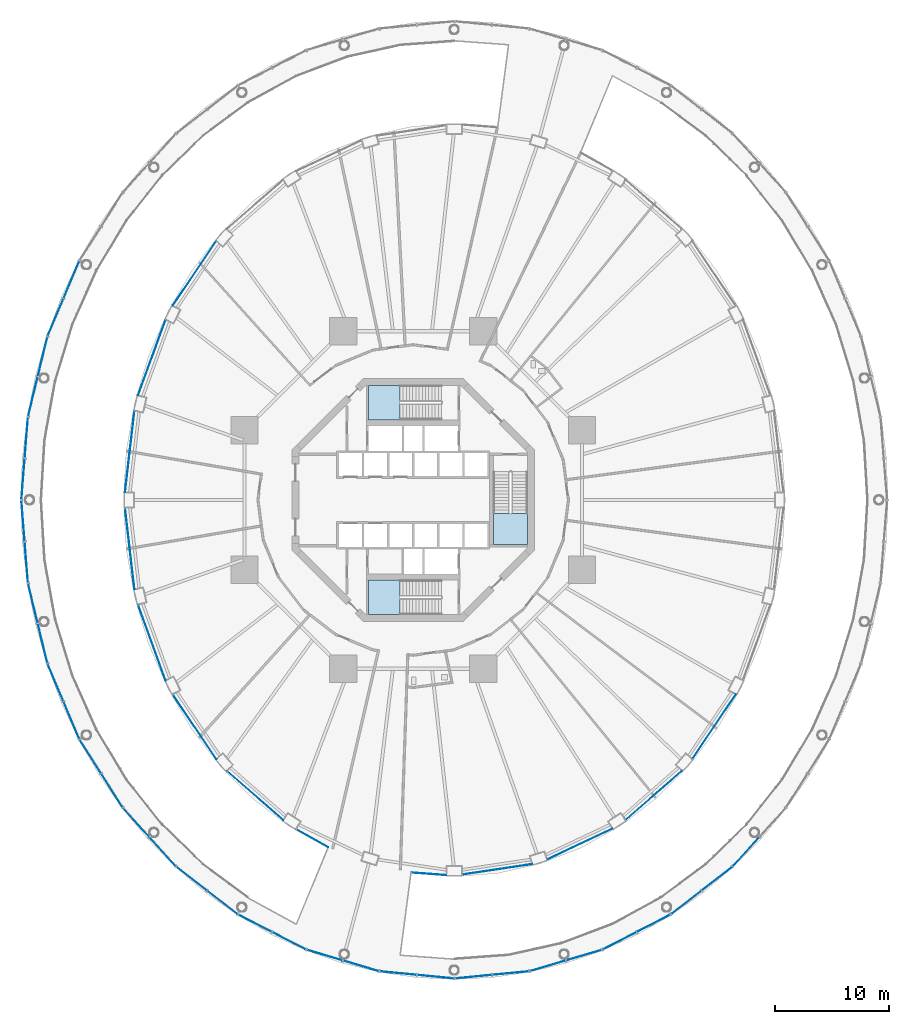
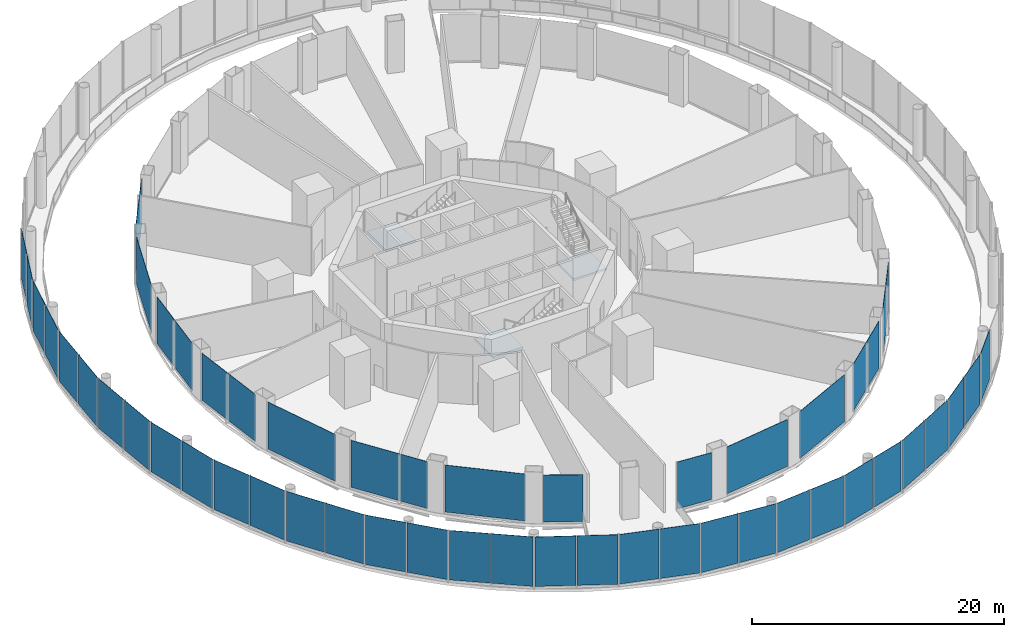
# One storey, part 39 of 47: 46 plates, 3 slabs, 33 elements without a shape of their own.
"""IFC4 building model written with IfcOpenShell, lengths in metres."""

from ifc_helpers import new_model, si_unit, direction, frame, origin, origin_2d, place, context, subcontext, project, spatial, polyline, rectangle, outline, extrude, material, layer, layer_set, type_object, element, aggregate, save


model = new_model("IFC4")

# Units and contexts
model_context = context("Model", 3, precision=1e-05, world=origin(), true_north=direction((0.0, 1.0)))
body_context = subcontext(model_context, "Body", "Model", "MODEL_VIEW")
ifc_project = project(units=[si_unit("LENGTHUNIT", "METRE"), si_unit("AREAUNIT", "SQUARE_METRE"), si_unit("VOLUMEUNIT", "CUBIC_METRE"), si_unit("PLANEANGLEUNIT", "RADIAN"), si_unit("MASSUNIT", "GRAM", prefix="KILO")], contexts=[model_context])

# Site, building, storey
site_placement = place(None, origin())
site = spatial("IfcSite", under=ifc_project, at=site_placement, CompositionType="ELEMENT")
building_placement = place(site_placement, origin())
building = spatial("IfcBuilding", under=site, at=building_placement, Name="Nagisa Residences", CompositionType="ELEMENT")
storey_placement = place(building_placement, frame((0.0, 0.0, 17.0)))
storey = spatial("IfcBuildingStorey", under=building, at=storey_placement, Name="L03", CompositionType="ELEMENT", Elevation=17.0)

# Curtain wall, plates
ifc_material_1 = material(Name="Stainless steel curtain wall system", Category="steel")
ifc_layer_1 = layer(ifc_material_1, 0.159912109375)
ifc_layer_set_1 = layer_set([ifc_layer_1], Name="CW3 CURTAIN WALL")
curtain_wall_type_1 = type_object("IfcCurtainWallType", Name="CW3 CURTAIN WALL", PredefinedType="NOTDEFINED", material=ifc_layer_set_1)
curtain_wall_1_placement = place(storey_placement, origin())
curtain_wall_1 = element("IfcCurtainWall", 1, at=curtain_wall_1_placement, inside=storey, type_object=curtain_wall_type_1, Name="cw:CW3:L03:15", PredefinedType="NOTDEFINED")
ifc_material_2 = material(Name="Low-iron laminated glass", Category="glass")
ifc_layer_2 = layer(ifc_material_2, 0.028076171875)
ifc_layer_set_2 = layer_set([ifc_layer_2], Name="CW3 GLASS PANEL")
plate_type_1 = type_object("IfcPlateType", Name="CW3 GLASS PANEL", PredefinedType="CURTAIN_PANEL", material=ifc_layer_set_2)
plate_1_placement = place(storey_placement, frame((-29.94287109375, 19.291748046875, 0.2001953125), z_axis=(0.0, 0.0, 1.0), x_axis=(-0.388718029417, -0.921356767819, 0.0)))
plate_1 = element("IfcPlate", 2, at=plate_1_placement, type_object=plate_type_1, Name="CW3 panel", PredefinedType="CURTAIN_PANEL", context=body_context, shape_type="SweptSolid", body=[
    extrude(rectangle(XDim=3.480712890625, YDim=0.028076171875, at=origin_2d()), origin(), (0.0, 0.0, 1.0), 4.800048828125),
])
plate_2_placement = place(storey_placement, frame((-31.326904296875, 16.010986328125, 0.2001953125), z_axis=(0.0, 0.0, 1.0), x_axis=(-0.388718029417, -0.921356767819, 0.0)))
plate_2 = element("IfcPlate", 3, at=plate_2_placement, type_object=plate_type_1, Name="CW3 panel", PredefinedType="CURTAIN_PANEL", context=body_context, shape_type="SweptSolid", body=[
    extrude(rectangle(XDim=3.480712890625, YDim=0.028076171875, at=origin_2d()), origin(), (0.0, 0.0, 1.0), 4.800048828125),
])
aggregate(curtain_wall_1, [plate_1, plate_2])

curtain_wall_2_placement = place(storey_placement, origin())
curtain_wall_2 = element("IfcCurtainWall", 4, at=curtain_wall_2_placement, inside=storey, type_object=curtain_wall_type_1, Name="cw:CW3:L03:16", PredefinedType="NOTDEFINED")
plate_3_placement = place(storey_placement, frame((-32.4638671875, 12.55859375, 0.2001953125), z_axis=(0.0, 0.0, 1.0), x_axis=(-0.235605514043, -0.971848775146, 0.0)))
plate_3 = element("IfcPlate", 5, at=plate_3_placement, type_object=plate_type_1, Name="CW3 panel", PredefinedType="CURTAIN_PANEL", context=body_context, shape_type="SweptSolid", body=[
    extrude(rectangle(XDim=3.518310546875, YDim=0.028076171875, at=origin_2d()), origin(), (0.0, 0.0, 1.0), 4.800048828125),
])
plate_4_placement = place(storey_placement, frame((-33.3115234375, 9.061767578125, 0.2001953125), z_axis=(0.0, 0.0, 1.0), x_axis=(-0.235605514043, -0.971848775146, 0.0)))
plate_4 = element("IfcPlate", 6, at=plate_4_placement, type_object=plate_type_1, Name="CW3 panel", PredefinedType="CURTAIN_PANEL", context=body_context, shape_type="SweptSolid", body=[
    extrude(rectangle(XDim=3.518310546875, YDim=0.028076171875, at=origin_2d()), origin(), (0.0, 0.0, 1.0), 4.800048828125),
])
aggregate(curtain_wall_2, [plate_3, plate_4])

curtain_wall_3_placement = place(storey_placement, origin())
curtain_wall_3 = element("IfcCurtainWall", 7, at=curtain_wall_3_placement, inside=storey, type_object=curtain_wall_type_1, Name="cw:CW3:L03:17", PredefinedType="NOTDEFINED")
plate_5_placement = place(storey_placement, frame((-33.888916015625, 5.443603515625, 0.2001953125), z_axis=(0.0, 0.0, 1.0), x_axis=(-0.078909582539, -0.996881777235, 0.0)))
plate_5 = element("IfcPlate", 8, at=plate_5_placement, type_object=plate_type_1, Name="CW3 panel", PredefinedType="CURTAIN_PANEL", context=body_context, shape_type="SweptSolid", body=[
    extrude(rectangle(XDim=3.5380859375, YDim=0.028076171875, at=origin_2d()), origin(), (0.0, 0.0, 1.0), 4.800048828125),
])
plate_6_placement = place(storey_placement, frame((-34.17431640625, 1.8369140625, 0.2001953125), z_axis=(0.0, 0.0, 1.0), x_axis=(-0.078909582539, -0.996881777235, 0.0)))
plate_6 = element("IfcPlate", 9, at=plate_6_placement, type_object=plate_type_1, Name="CW3 panel", PredefinedType="CURTAIN_PANEL", context=body_context, shape_type="SweptSolid", body=[
    extrude(rectangle(XDim=3.5380859375, YDim=0.028076171875, at=origin_2d()), origin(), (0.0, 0.0, 1.0), 4.800048828125),
])
aggregate(curtain_wall_3, [plate_5, plate_6])

curtain_wall_4_placement = place(storey_placement, origin())
curtain_wall_4 = element("IfcCurtainWall", 10, at=curtain_wall_4_placement, inside=storey, type_object=curtain_wall_type_1, Name="cw:CW3:L03:18", PredefinedType="NOTDEFINED")
plate_7_placement = place(storey_placement, frame((-34.17431640625, -1.8369140625, 0.2001953125), z_axis=(0.0, 0.0, 1.0), x_axis=(0.078909582539, -0.996881777235, 0.0)))
plate_7 = element("IfcPlate", 11, at=plate_7_placement, type_object=plate_type_1, Name="CW3 panel", PredefinedType="CURTAIN_PANEL", context=body_context, shape_type="SweptSolid", body=[
    extrude(rectangle(XDim=3.5380859375, YDim=0.028076171875, at=origin_2d()), origin(), (0.0, 0.0, 1.0), 4.800048828125),
])
plate_8_placement = place(storey_placement, frame((-33.888916015625, -5.443603515625, 0.2001953125), z_axis=(0.0, 0.0, 1.0), x_axis=(0.078909582539, -0.996881777235, 0.0)))
plate_8 = element("IfcPlate", 12, at=plate_8_placement, type_object=plate_type_1, Name="CW3 panel", PredefinedType="CURTAIN_PANEL", context=body_context, shape_type="SweptSolid", body=[
    extrude(rectangle(XDim=3.5380859375, YDim=0.028076171875, at=origin_2d()), origin(), (0.0, 0.0, 1.0), 4.800048828125),
])
aggregate(curtain_wall_4, [plate_7, plate_8])

curtain_wall_5_placement = place(storey_placement, origin())
curtain_wall_5 = element("IfcCurtainWall", 13, at=curtain_wall_5_placement, inside=storey, type_object=curtain_wall_type_1, Name="cw:CW3:L03:19", PredefinedType="NOTDEFINED")
plate_9_placement = place(storey_placement, frame((-33.3115234375, -9.061767578125, 0.2001953125), z_axis=(0.0, 0.0, 1.0), x_axis=(0.235605514043, -0.971848775146, 0.0)))
plate_9 = element("IfcPlate", 14, at=plate_9_placement, type_object=plate_type_1, Name="CW3 panel", PredefinedType="CURTAIN_PANEL", context=body_context, shape_type="SweptSolid", body=[
    extrude(rectangle(XDim=3.518310546875, YDim=0.028076171875, at=origin_2d()), origin(), (0.0, 0.0, 1.0), 4.800048828125),
])
plate_10_placement = place(storey_placement, frame((-32.4638671875, -12.55859375, 0.2001953125), z_axis=(0.0, 0.0, 1.0), x_axis=(0.235605514043, -0.971848775146, 0.0)))
plate_10 = element("IfcPlate", 15, at=plate_10_placement, type_object=plate_type_1, Name="CW3 panel", PredefinedType="CURTAIN_PANEL", context=body_context, shape_type="SweptSolid", body=[
    extrude(rectangle(XDim=3.518310546875, YDim=0.028076171875, at=origin_2d()), origin(), (0.0, 0.0, 1.0), 4.800048828125),
])
aggregate(curtain_wall_5, [plate_9, plate_10])

curtain_wall_6_placement = place(storey_placement, origin())
curtain_wall_6 = element("IfcCurtainWall", 16, at=curtain_wall_6_placement, inside=storey, type_object=curtain_wall_type_1, Name="cw:CW3:L03:20", PredefinedType="NOTDEFINED")
plate_11_placement = place(storey_placement, frame((-31.326904296875, -16.010986328125, 0.2001953125), z_axis=(0.0, 0.0, 1.0), x_axis=(0.388718029417, -0.921356767819, 0.0)))
plate_11 = element("IfcPlate", 17, at=plate_11_placement, type_object=plate_type_1, Name="CW3 panel", PredefinedType="CURTAIN_PANEL", context=body_context, shape_type="SweptSolid", body=[
    extrude(rectangle(XDim=3.480712890625, YDim=0.028076171875, at=origin_2d()), origin(), (0.0, 0.0, 1.0), 4.800048828125),
])
plate_12_placement = place(storey_placement, frame((-29.94287109375, -19.291748046875, 0.2001953125), z_axis=(0.0, 0.0, 1.0), x_axis=(0.388718029417, -0.921356767819, 0.0)))
plate_12 = element("IfcPlate", 18, at=plate_12_placement, type_object=plate_type_1, Name="CW3 panel", PredefinedType="CURTAIN_PANEL", context=body_context, shape_type="SweptSolid", body=[
    extrude(rectangle(XDim=3.480712890625, YDim=0.028076171875, at=origin_2d()), origin(), (0.0, 0.0, 1.0), 4.800048828125),
])
aggregate(curtain_wall_6, [plate_11, plate_12])

curtain_wall_7_placement = place(storey_placement, origin())
curtain_wall_7 = element("IfcCurtainWall", 19, at=curtain_wall_7_placement, inside=storey, type_object=curtain_wall_type_1, Name="cw:CW3:L03:21", PredefinedType="NOTDEFINED")
plate_13_placement = place(storey_placement, frame((-28.28076171875, -22.473388671875, 0.2001953125), z_axis=(0.0, 0.0, 1.0), x_axis=(0.535165286856, -0.844747368001, 0.0)))
plate_13 = element("IfcPlate", 20, at=plate_13_placement, type_object=plate_type_1, Name="CW3 panel", PredefinedType="CURTAIN_PANEL", context=body_context, shape_type="SweptSolid", body=[
    extrude(rectangle(XDim=3.4296875, YDim=0.028076171875, at=origin_2d()), origin(), (0.0, 0.0, 1.0), 4.800048828125),
])
plate_14_placement = place(storey_placement, frame((-26.402587890625, -25.43798828125, 0.2001953125), z_axis=(0.0, 0.0, 1.0), x_axis=(0.535165286856, -0.844747368001, 0.0)))
plate_14 = element("IfcPlate", 21, at=plate_14_placement, type_object=plate_type_1, Name="CW3 panel", PredefinedType="CURTAIN_PANEL", context=body_context, shape_type="SweptSolid", body=[
    extrude(rectangle(XDim=3.4296875, YDim=0.028076171875, at=origin_2d()), origin(), (0.0, 0.0, 1.0), 4.800048828125),
])
aggregate(curtain_wall_7, [plate_13, plate_14])

curtain_wall_8_placement = place(storey_placement, origin())
curtain_wall_8 = element("IfcCurtainWall", 22, at=curtain_wall_8_placement, inside=storey, type_object=curtain_wall_type_1, Name="cw:CW3:L03:22", PredefinedType="NOTDEFINED")
plate_15_placement = place(storey_placement, frame((-24.26611328125, -28.25244140625, 0.2001953125), z_axis=(0.0, 0.0, 1.0), x_axis=(0.670913323971, -0.741535779122, 0.0)))
plate_15 = element("IfcPlate", 23, at=plate_15_placement, type_object=plate_type_1, Name="CW3 panel", PredefinedType="CURTAIN_PANEL", context=body_context, shape_type="SweptSolid", body=[
    extrude(rectangle(XDim=3.37060546875, YDim=0.028076171875, at=origin_2d()), origin(), (0.0, 0.0, 1.0), 4.800048828125),
])
plate_16_placement = place(storey_placement, frame((-21.950927734375, -30.811279296875, 0.2001953125), z_axis=(0.0, 0.0, 1.0), x_axis=(0.670913323971, -0.741535779122, 0.0)))
plate_16 = element("IfcPlate", 24, at=plate_16_placement, type_object=plate_type_1, Name="CW3 panel", PredefinedType="CURTAIN_PANEL", context=body_context, shape_type="SweptSolid", body=[
    extrude(rectangle(XDim=3.37060546875, YDim=0.028076171875, at=origin_2d()), origin(), (0.0, 0.0, 1.0), 4.800048828125),
])
aggregate(curtain_wall_8, [plate_15, plate_16])

curtain_wall_9_placement = place(storey_placement, origin())
curtain_wall_9 = element("IfcCurtainWall", 25, at=curtain_wall_9_placement, inside=storey, type_object=curtain_wall_type_1, Name="cw:CW3:L03:23", PredefinedType="NOTDEFINED")
plate_17_placement = place(storey_placement, frame((-19.40478515625, -33.172607421875, 0.2001953125), z_axis=(0.0, 0.0, 1.0), x_axis=(0.790830864353, -0.612034757172, 0.0)))
plate_17 = element("IfcPlate", 26, at=plate_17_placement, type_object=plate_type_1, Name="CW3 panel", PredefinedType="CURTAIN_PANEL", context=body_context, shape_type="SweptSolid", body=[
    extrude(rectangle(XDim=3.310546875, YDim=0.028076171875, at=origin_2d()), origin(), (0.0, 0.0, 1.0), 4.800048828125),
])
plate_18_placement = place(storey_placement, frame((-16.723388671875, -35.247802734375, 0.2001953125), z_axis=(0.0, 0.0, 1.0), x_axis=(0.790830864353, -0.612034757172, 0.0)))
plate_18 = element("IfcPlate", 27, at=plate_18_placement, type_object=plate_type_1, Name="CW3 panel", PredefinedType="CURTAIN_PANEL", context=body_context, shape_type="SweptSolid", body=[
    extrude(rectangle(XDim=3.310546875, YDim=0.028076171875, at=origin_2d()), origin(), (0.0, 0.0, 1.0), 4.800048828125),
])
aggregate(curtain_wall_9, [plate_17, plate_18])

curtain_wall_10_placement = place(storey_placement, origin())
curtain_wall_10 = element("IfcCurtainWall", 28, at=curtain_wall_10_placement, inside=storey, type_object=curtain_wall_type_1, Name="cw:CW3:L03:24", PredefinedType="NOTDEFINED")
plate_19_placement = place(storey_placement, frame((-13.8447265625, -37.084716796875, 0.2001953125), z_axis=(0.0, 0.0, 1.0), x_axis=(0.888887270285, -0.45812598783, 0.0)))
plate_19 = element("IfcPlate", 29, at=plate_19_placement, type_object=plate_type_1, Name="CW3 panel", PredefinedType="CURTAIN_PANEL", context=body_context, shape_type="SweptSolid", body=[
    extrude(rectangle(XDim=3.2568359375, YDim=0.028076171875, at=origin_2d()), origin(), (0.0, 0.0, 1.0), 4.800048828125),
])
plate_20_placement = place(storey_placement, frame((-10.878662109375, -38.61328125, 0.2001953125), z_axis=(0.0, 0.0, 1.0), x_axis=(0.888887270285, -0.45812598783, 0.0)))
plate_20 = element("IfcPlate", 30, at=plate_20_placement, type_object=plate_type_1, Name="CW3 panel", PredefinedType="CURTAIN_PANEL", context=body_context, shape_type="SweptSolid", body=[
    extrude(rectangle(XDim=3.2568359375, YDim=0.028076171875, at=origin_2d()), origin(), (0.0, 0.0, 1.0), 4.800048828125),
])
aggregate(curtain_wall_10, [plate_19, plate_20])

curtain_wall_11_placement = place(storey_placement, origin())
curtain_wall_11 = element("IfcCurtainWall", 31, at=curtain_wall_11_placement, inside=storey, type_object=curtain_wall_type_1, Name="cw:CW3:L03:25", PredefinedType="NOTDEFINED")
plate_21_placement = place(storey_placement, frame((-7.75537109375, -39.869873046875, 0.2001953125), z_axis=(0.0, 0.0, 1.0), x_axis=(0.958835171393, -0.283963226669, 0.0)))
plate_21 = element("IfcPlate", 32, at=plate_21_placement, type_object=plate_type_1, Name="CW3 panel", PredefinedType="CURTAIN_PANEL", context=body_context, shape_type="SweptSolid", body=[
    extrude(rectangle(XDim=3.21630859375, YDim=0.028076171875, at=origin_2d()), origin(), (0.0, 0.0, 1.0), 4.800048828125),
])
plate_22_placement = place(storey_placement, frame((-4.5947265625, -40.805908203125, 0.2001953125), z_axis=(0.0, 0.0, 1.0), x_axis=(0.958835171393, -0.283963226669, 0.0)))
plate_22 = element("IfcPlate", 33, at=plate_22_placement, type_object=plate_type_1, Name="CW3 panel", PredefinedType="CURTAIN_PANEL", context=body_context, shape_type="SweptSolid", body=[
    extrude(rectangle(XDim=3.21630859375, YDim=0.028076171875, at=origin_2d()), origin(), (0.0, 0.0, 1.0), 4.800048828125),
])
aggregate(curtain_wall_11, [plate_21, plate_22])

curtain_wall_12_placement = place(storey_placement, origin())
curtain_wall_12 = element("IfcCurtainWall", 34, at=curtain_wall_12_placement, inside=storey, type_object=curtain_wall_type_1, Name="cw:CW3:L03:26", PredefinedType="NOTDEFINED")
plate_23_placement = place(storey_placement, frame((-1.3212890625, -41.44384765625, 0.2001953125), z_axis=(0.0, 0.0, 1.0), x_axis=(0.995357282289, -0.096249055035, 0.0)))
plate_23 = element("IfcPlate", 35, at=plate_23_placement, type_object=plate_type_1, Name="CW3 panel", PredefinedType="CURTAIN_PANEL", context=body_context, shape_type="SweptSolid", body=[
    extrude(rectangle(XDim=3.19482421875, YDim=0.028076171875, at=origin_2d()), origin(), (0.0, 0.0, 1.0), 4.800048828125),
])
plate_24_placement = place(storey_placement, frame((1.938232421875, -41.759033203125, 0.2001953125), z_axis=(0.0, 0.0, 1.0), x_axis=(0.995357282289, -0.096249055035, 0.0)))
plate_24 = element("IfcPlate", 36, at=plate_24_placement, type_object=plate_type_1, Name="CW3 panel", PredefinedType="CURTAIN_PANEL", context=body_context, shape_type="SweptSolid", body=[
    extrude(rectangle(XDim=3.19482421875, YDim=0.028076171875, at=origin_2d()), origin(), (0.0, 0.0, 1.0), 4.800048828125),
])
aggregate(curtain_wall_12, [plate_23, plate_24])

curtain_wall_13_placement = place(storey_placement, origin())
curtain_wall_13 = element("IfcCurtainWall", 37, at=curtain_wall_13_placement, inside=storey, type_object=curtain_wall_type_1, Name="cw:CW3:L03:27", PredefinedType="NOTDEFINED")
plate_25_placement = place(storey_placement, frame((5.261962890625, -41.759033203125, 0.2001953125), z_axis=(0.0, 0.0, 1.0), x_axis=(0.995357282289, 0.096249055035, 0.0)))
plate_25 = element("IfcPlate", 38, at=plate_25_placement, type_object=plate_type_1, Name="CW3 panel", PredefinedType="CURTAIN_PANEL", context=body_context, shape_type="SweptSolid", body=[
    extrude(rectangle(XDim=3.19482421875, YDim=0.028076171875, at=origin_2d()), origin(), (0.0, 0.0, 1.0), 4.800048828125),
])
plate_26_placement = place(storey_placement, frame((8.521484375, -41.44384765625, 0.2001953125), z_axis=(0.0, 0.0, 1.0), x_axis=(0.995357282289, 0.096249055035, 0.0)))
plate_26 = element("IfcPlate", 39, at=plate_26_placement, type_object=plate_type_1, Name="CW3 panel", PredefinedType="CURTAIN_PANEL", context=body_context, shape_type="SweptSolid", body=[
    extrude(rectangle(XDim=3.19482421875, YDim=0.028076171875, at=origin_2d()), origin(), (0.0, 0.0, 1.0), 4.800048828125),
])
aggregate(curtain_wall_13, [plate_25, plate_26])

curtain_wall_14_placement = place(storey_placement, origin())
curtain_wall_14 = element("IfcCurtainWall", 40, at=curtain_wall_14_placement, inside=storey, type_object=curtain_wall_type_1, Name="cw:CW3:L03:28", PredefinedType="NOTDEFINED")
plate_27_placement = place(storey_placement, frame((11.794677734375, -40.805908203125, 0.2001953125), z_axis=(0.0, 0.0, 1.0), x_axis=(0.958835171393, 0.283963226669, 0.0)))
plate_27 = element("IfcPlate", 41, at=plate_27_placement, type_object=plate_type_1, Name="CW3 panel", PredefinedType="CURTAIN_PANEL", context=body_context, shape_type="SweptSolid", body=[
    extrude(rectangle(XDim=3.21630859375, YDim=0.028076171875, at=origin_2d()), origin(), (0.0, 0.0, 1.0), 4.800048828125),
])
plate_28_placement = place(storey_placement, frame((14.955322265625, -39.869873046875, 0.2001953125), z_axis=(0.0, 0.0, 1.0), x_axis=(0.958835171393, 0.283963226669, 0.0)))
plate_28 = element("IfcPlate", 42, at=plate_28_placement, type_object=plate_type_1, Name="CW3 panel", PredefinedType="CURTAIN_PANEL", context=body_context, shape_type="SweptSolid", body=[
    extrude(rectangle(XDim=3.21630859375, YDim=0.028076171875, at=origin_2d()), origin(), (0.0, 0.0, 1.0), 4.800048828125),
])
aggregate(curtain_wall_14, [plate_27, plate_28])

curtain_wall_15_placement = place(storey_placement, origin())
curtain_wall_15 = element("IfcCurtainWall", 43, at=curtain_wall_15_placement, inside=storey, type_object=curtain_wall_type_1, Name="cw:CW3:L03:29", PredefinedType="NOTDEFINED")
plate_29_placement = place(storey_placement, frame((18.07861328125, -38.61328125, 0.2001953125), z_axis=(0.0, 0.0, 1.0), x_axis=(0.888887270285, 0.45812598783, 0.0)))
plate_29 = element("IfcPlate", 44, at=plate_29_placement, type_object=plate_type_1, Name="CW3 panel", PredefinedType="CURTAIN_PANEL", context=body_context, shape_type="SweptSolid", body=[
    extrude(rectangle(XDim=3.2568359375, YDim=0.028076171875, at=origin_2d()), origin(), (0.0, 0.0, 1.0), 4.800048828125),
])
plate_30_placement = place(storey_placement, frame((21.044677734375, -37.084716796875, 0.2001953125), z_axis=(0.0, 0.0, 1.0), x_axis=(0.888887270285, 0.45812598783, 0.0)))
plate_30 = element("IfcPlate", 45, at=plate_30_placement, type_object=plate_type_1, Name="CW3 panel", PredefinedType="CURTAIN_PANEL", context=body_context, shape_type="SweptSolid", body=[
    extrude(rectangle(XDim=3.2568359375, YDim=0.028076171875, at=origin_2d()), origin(), (0.0, 0.0, 1.0), 4.800048828125),
])
aggregate(curtain_wall_15, [plate_29, plate_30])

curtain_wall_16_placement = place(storey_placement, origin())
curtain_wall_16 = element("IfcCurtainWall", 46, at=curtain_wall_16_placement, inside=storey, type_object=curtain_wall_type_1, Name="cw:CW3:L03:30", PredefinedType="NOTDEFINED")
plate_31_placement = place(storey_placement, frame((23.92333984375, -35.247802734375, 0.2001953125), z_axis=(0.0, 0.0, 1.0), x_axis=(0.790830864353, 0.612034757172, 0.0)))
plate_31 = element("IfcPlate", 47, at=plate_31_placement, type_object=plate_type_1, Name="CW3 panel", PredefinedType="CURTAIN_PANEL", context=body_context, shape_type="SweptSolid", body=[
    extrude(rectangle(XDim=3.310546875, YDim=0.028076171875, at=origin_2d()), origin(), (0.0, 0.0, 1.0), 4.800048828125),
])
plate_32_placement = place(storey_placement, frame((26.604736328125, -33.172607421875, 0.2001953125), z_axis=(0.0, 0.0, 1.0), x_axis=(0.790830864353, 0.612034757172, 0.0)))
plate_32 = element("IfcPlate", 48, at=plate_32_placement, type_object=plate_type_1, Name="CW3 panel", PredefinedType="CURTAIN_PANEL", context=body_context, shape_type="SweptSolid", body=[
    extrude(rectangle(XDim=3.310546875, YDim=0.028076171875, at=origin_2d()), origin(), (0.0, 0.0, 1.0), 4.800048828125),
])
aggregate(curtain_wall_16, [plate_31, plate_32])

# Curtain wall, plate
curtain_wall_17_placement = place(storey_placement, origin())
curtain_wall_17 = element("IfcCurtainWall", 49, at=curtain_wall_17_placement, inside=storey, type_object=curtain_wall_type_1, Name="cw:CW3:L03:31", PredefinedType="NOTDEFINED")
plate_33_placement = place(storey_placement, frame((29.15087890625, -30.811279296875, 0.2001953125), z_axis=(0.0, 0.0, 1.0), x_axis=(0.670913323971, 0.741535779122, 0.0)))
plate_33 = element("IfcPlate", 50, at=plate_33_placement, type_object=plate_type_1, Name="CW3 panel", PredefinedType="CURTAIN_PANEL", context=body_context, shape_type="SweptSolid", body=[
    extrude(rectangle(XDim=3.37060546875, YDim=0.028076171875, at=origin_2d()), origin(), (0.0, 0.0, 1.0), 4.800048828125),
])
aggregate(curtain_wall_17, [plate_33])

ifc_material_3 = material(Name="Stainless steel curtain wall system", Category="steel")
ifc_layer_3 = layer(ifc_material_3, 0.159912109375)
ifc_layer_set_3 = layer_set([ifc_layer_3], Name="CW6 CURTAIN WALL")
curtain_wall_type_2 = type_object("IfcCurtainWallType", Name="CW6 CURTAIN WALL", PredefinedType="NOTDEFINED", material=ifc_layer_set_3)
curtain_wall_18_placement = place(storey_placement, origin())
curtain_wall_18 = element("IfcCurtainWall", 51, at=curtain_wall_18_placement, inside=storey, type_object=curtain_wall_type_2, Name="cw:CW6:L03:18", PredefinedType="NOTDEFINED")
ifc_material_4 = material(Name="Low-iron laminated glass", Category="glass")
ifc_layer_4 = layer(ifc_material_4, 0.028076171875)
ifc_layer_set_4 = layer_set([ifc_layer_4], Name="CW6 GLASS PANEL")
plate_type_2 = type_object("IfcPlateType", Name="CW6 GLASS PANEL", PredefinedType="CURTAIN_PANEL", material=ifc_layer_set_4)
plate_34_placement = place(storey_placement, frame((-19.160888671875, 19.84765625, 0.14990234375), z_axis=(0.0, 0.0, 1.0), x_axis=(-0.559084136544, -0.829110926393, 0.0)))
plate_34 = element("IfcPlate", 52, at=plate_34_placement, type_object=plate_type_2, Name="CW6 panel", PredefinedType="CURTAIN_PANEL", context=body_context, shape_type="SweptSolid", body=[
    extrude(rectangle(XDim=6.783203125, YDim=0.028076171875, at=origin_2d()), origin(), (0.0, 0.0, 1.0), 4.550048828125),
])
aggregate(curtain_wall_18, [plate_34])

curtain_wall_19_placement = place(storey_placement, origin())
curtain_wall_19 = element("IfcCurtainWall", 53, at=curtain_wall_19_placement, inside=storey, type_object=curtain_wall_type_2, Name="cw:CW6:L03:20", PredefinedType="NOTDEFINED")
plate_35_placement = place(storey_placement, frame((-22.8984375, 12.46484375, 0.14990234375), z_axis=(0.0, 0.0, 1.0), x_axis=(-0.342049702176, -0.939681861718, 0.0)))
plate_35 = element("IfcPlate", 54, at=plate_35_placement, type_object=plate_type_2, Name="CW6 panel", PredefinedType="CURTAIN_PANEL", context=body_context, shape_type="SweptSolid", body=[
    extrude(rectangle(XDim=7.009765625, YDim=0.028076171875, at=origin_2d()), origin(), (0.0, 0.0, 1.0), 4.550048828125),
])
aggregate(curtain_wall_19, [plate_35])

curtain_wall_20_placement = place(storey_placement, origin())
curtain_wall_20 = element("IfcCurtainWall", 55, at=curtain_wall_20_placement, inside=storey, type_object=curtain_wall_type_2, Name="cw:CW6:L03:22", PredefinedType="NOTDEFINED")
plate_36_placement = place(storey_placement, frame((-24.829833984375, 4.2314453125, 0.14990234375), z_axis=(0.0, 0.0, 1.0), x_axis=(-0.114928006139, -0.993373823596, 0.0)))
plate_36 = element("IfcPlate", 56, at=plate_36_placement, type_object=plate_type_2, Name="CW6 panel", PredefinedType="CURTAIN_PANEL", context=body_context, shape_type="SweptSolid", body=[
    extrude(rectangle(XDim=7.137939453125, YDim=0.028076171875, at=origin_2d()), origin(), (0.0, 0.0, 1.0), 4.550048828125),
])
aggregate(curtain_wall_20, [plate_36])

curtain_wall_21_placement = place(storey_placement, origin())
curtain_wall_21 = element("IfcCurtainWall", 57, at=curtain_wall_21_placement, inside=storey, type_object=curtain_wall_type_2, Name="cw:CW6:L03:24", PredefinedType="NOTDEFINED")
plate_37_placement = place(storey_placement, frame((-24.822998046875, -4.291015625, 0.14990234375), z_axis=(0.0, 0.0, 1.0), x_axis=(0.114928006139, -0.993373823596, 0.0)))
plate_37 = element("IfcPlate", 58, at=plate_37_placement, type_object=plate_type_2, Name="CW6 panel", PredefinedType="CURTAIN_PANEL", context=body_context, shape_type="SweptSolid", body=[
    extrude(rectangle(XDim=7.137939453125, YDim=0.028076171875, at=origin_2d()), origin(), (0.0, 0.0, 1.0), 4.550048828125),
])
aggregate(curtain_wall_21, [plate_37])

curtain_wall_22_placement = place(storey_placement, origin())
curtain_wall_22 = element("IfcCurtainWall", 59, at=curtain_wall_22_placement, inside=storey, type_object=curtain_wall_type_2, Name="cw:CW6:L03:26", PredefinedType="NOTDEFINED")
plate_38_placement = place(storey_placement, frame((-22.8779296875, -12.521240234375, 0.14990234375), z_axis=(0.0, 0.0, 1.0), x_axis=(0.342049702176, -0.939681861718, 0.0)))
plate_38 = element("IfcPlate", 60, at=plate_38_placement, type_object=plate_type_2, Name="CW6 panel", PredefinedType="CURTAIN_PANEL", context=body_context, shape_type="SweptSolid", body=[
    extrude(rectangle(XDim=7.009765625, YDim=0.028076171875, at=origin_2d()), origin(), (0.0, 0.0, 1.0), 4.550048828125),
])
aggregate(curtain_wall_22, [plate_38])

curtain_wall_23_placement = place(storey_placement, origin())
curtain_wall_23 = element("IfcCurtainWall", 61, at=curtain_wall_23_placement, inside=storey, type_object=curtain_wall_type_2, Name="cw:CW6:L03:28", PredefinedType="NOTDEFINED")
plate_39_placement = place(storey_placement, frame((-19.127197265625, -19.8974609375, 0.14990234375), z_axis=(0.0, 0.0, 1.0), x_axis=(0.559084136544, -0.829110926393, 0.0)))
plate_39 = element("IfcPlate", 62, at=plate_39_placement, type_object=plate_type_2, Name="CW6 panel", PredefinedType="CURTAIN_PANEL", context=body_context, shape_type="SweptSolid", body=[
    extrude(rectangle(XDim=6.783203125, YDim=0.028076171875, at=origin_2d()), origin(), (0.0, 0.0, 1.0), 4.550048828125),
])
aggregate(curtain_wall_23, [plate_39])

curtain_wall_24_placement = place(storey_placement, origin())
curtain_wall_24 = element("IfcCurtainWall", 63, at=curtain_wall_24_placement, inside=storey, type_object=curtain_wall_type_2, Name="cw:CW6:L03:30", PredefinedType="NOTDEFINED")
plate_40_placement = place(storey_placement, frame((-13.827880859375, -25.916259765625, 0.14990234375), z_axis=(0.0, 0.0, 1.0), x_axis=(0.753261216572, -0.657721475708, 0.0)))
plate_40 = element("IfcPlate", 64, at=plate_40_placement, type_object=plate_type_2, Name="CW6 panel", PredefinedType="CURTAIN_PANEL", context=body_context, shape_type="SweptSolid", body=[
    extrude(rectangle(XDim=6.513427734375, YDim=0.028076171875, at=origin_2d()), origin(), (0.0, 0.0, 1.0), 4.550048828125),
])
aggregate(curtain_wall_24, [plate_40])

curtain_wall_25_placement = place(storey_placement, origin())
curtain_wall_25 = element("IfcCurtainWall", 65, at=curtain_wall_25_placement, inside=storey, type_object=curtain_wall_type_2, Name="cw:CW6:L03:32", PredefinedType="NOTDEFINED")
plate_41_placement = place(storey_placement, frame((-8.828369140625, -29.649658203125, 0.14990234375), z_axis=(0.0, 0.0, 1.0), x_axis=(0.872072377523, -0.489376918501, 0.0)))
plate_41 = element("IfcPlate", 66, at=plate_41_placement, type_object=plate_type_2, Name="CW6 panel", PredefinedType="CURTAIN_PANEL", context=body_context, shape_type="SweptSolid", body=[
    extrude(rectangle(XDim=3.141357421875, YDim=0.028076171875, at=origin_2d()), origin(), (0.0, 0.0, 1.0), 4.550048828125),
])
aggregate(curtain_wall_25, [plate_41])

curtain_wall_26_placement = place(storey_placement, origin())
curtain_wall_26 = element("IfcCurtainWall", 67, at=curtain_wall_26_placement, inside=storey, type_object=curtain_wall_type_2, Name="cw:CW6:L03:35", PredefinedType="NOTDEFINED")
plate_42_placement = place(storey_placement, frame((1.394287109375, -32.75537109375, 0.14990234375), z_axis=(0.0, 0.0, 1.0), x_axis=(0.997230168512, -0.074377355493, 0.0)))
plate_42 = element("IfcPlate", 68, at=plate_42_placement, type_object=plate_type_2, Name="CW6 panel", PredefinedType="CURTAIN_PANEL", context=body_context, shape_type="SweptSolid", body=[
    extrude(rectangle(XDim=3.035888671875, YDim=0.028076171875, at=origin_2d()), origin(), (0.0, 0.0, 1.0), 4.550048828125),
])
aggregate(curtain_wall_26, [plate_42])

curtain_wall_27_placement = place(storey_placement, origin())
curtain_wall_27 = element("IfcCurtainWall", 69, at=curtain_wall_27_placement, inside=storey, type_object=curtain_wall_type_2, Name="cw:CW6:L03:36", PredefinedType="NOTDEFINED")
plate_43_placement = place(storey_placement, frame((7.37060546875, -32.354248046875, 0.14990234375), z_axis=(0.0, 0.0, 1.0), x_axis=(0.988963689083, 0.148158096894, 0.0)))
plate_43 = element("IfcPlate", 70, at=plate_43_placement, type_object=plate_type_2, Name="CW6 panel", PredefinedType="CURTAIN_PANEL", context=body_context, shape_type="SweptSolid", body=[
    extrude(rectangle(XDim=6.12939453125, YDim=0.028076171875, at=origin_2d()), origin(), (0.0, 0.0, 1.0), 4.550048828125),
])
aggregate(curtain_wall_27, [plate_43])

curtain_wall_28_placement = place(storey_placement, origin())
curtain_wall_28 = element("IfcCurtainWall", 71, at=curtain_wall_28_placement, inside=storey, type_object=curtain_wall_type_2, Name="cw:CW6:L03:38", PredefinedType="NOTDEFINED")
plate_44_placement = place(storey_placement, frame((14.595947265625, -30.14208984375, 0.14990234375), z_axis=(0.0, 0.0, 1.0), x_axis=(0.904554286432, 0.426358467603, 0.0)))
plate_44 = element("IfcPlate", 72, at=plate_44_placement, type_object=plate_type_2, Name="CW6 panel", PredefinedType="CURTAIN_PANEL", context=body_context, shape_type="SweptSolid", body=[
    extrude(rectangle(XDim=6.272216796875, YDim=0.028076171875, at=origin_2d()), origin(), (0.0, 0.0, 1.0), 4.550048828125),
])
aggregate(curtain_wall_28, [plate_44])

curtain_wall_29_placement = place(storey_placement, origin())
curtain_wall_29 = element("IfcCurtainWall", 73, at=curtain_wall_29_placement, inside=storey, type_object=curtain_wall_type_2, Name="cw:CW6:L03:40", PredefinedType="NOTDEFINED")
plate_45_placement = place(storey_placement, frame((21.072998046875, -25.876708984375, 0.14990234375), z_axis=(0.0, 0.0, 1.0), x_axis=(0.753261216572, 0.657721475708, 0.0)))
plate_45 = element("IfcPlate", 74, at=plate_45_placement, type_object=plate_type_2, Name="CW6 panel", PredefinedType="CURTAIN_PANEL", context=body_context, shape_type="SweptSolid", body=[
    extrude(rectangle(XDim=6.513427734375, YDim=0.028076171875, at=origin_2d()), origin(), (0.0, 0.0, 1.0), 4.550048828125),
])
aggregate(curtain_wall_29, [plate_45])

curtain_wall_30_placement = place(storey_placement, origin())
curtain_wall_30 = element("IfcCurtainWall", 75, at=curtain_wall_30_placement, inside=storey, type_object=curtain_wall_type_2, Name="cw:CW6:L03:42", PredefinedType="NOTDEFINED")
plate_46_placement = place(storey_placement, frame((26.36083984375, -19.84765625, 0.14990234375), z_axis=(0.0, 0.0, 1.0), x_axis=(0.559084136544, 0.829110926393, 0.0)))
plate_46 = element("IfcPlate", 76, at=plate_46_placement, type_object=plate_type_2, Name="CW6 panel", PredefinedType="CURTAIN_PANEL", context=body_context, shape_type="SweptSolid", body=[
    extrude(rectangle(XDim=6.783203125, YDim=0.028076171875, at=origin_2d()), origin(), (0.0, 0.0, 1.0), 4.550048828125),
])
aggregate(curtain_wall_30, [plate_46])

# Stair, slab
ifc_material_5 = material(Name="Concrete C60", Category="concrete")
stair_type = type_object("IfcStairType", Name="Exit stair", PredefinedType="HALF_TURN_STAIR", material=ifc_material_5)
stair_1_placement = place(storey_placement, origin())
stair_1 = element("IfcStair", 77, at=stair_1_placement, inside=storey, type_object=stair_type, Name="L03 Exit stair E", PredefinedType="HALF_TURN_STAIR")
ifc_material_6 = material(Name="Concrete C60", Category="concrete")
ifc_layer_5 = layer(ifc_material_6, 0.199951171875)
ifc_layer_set_5 = layer_set([ifc_layer_5], Name="Stair landing")
slab_type = type_object("IfcSlabType", Name="Stair landing", PredefinedType="LANDING", material=ifc_layer_set_5)
slab_1_placement = place(storey_placement, frame((0.0, 0.0, 2.300048828125)))
slab_1 = element("IfcSlab", 78, at=slab_1_placement, type_object=slab_type, Name="ST-E landing 1", PredefinedType="LANDING", context=body_context, shape_type="SweptSolid", body=[
    extrude(outline(polyline([(7.024658203125, -1.1650390625), (7.024658203125, -3.89990234375), (10.024658203125, -3.89990234375), (10.024658203125, -1.1650390625), (7.024658203125, -1.1650390625)])), origin(), (0.0, 0.0, 1.0), 0.199951171875),
])
aggregate(stair_1, [slab_1])

stair_2_placement = place(storey_placement, origin())
stair_2 = element("IfcStair", 79, at=stair_2_placement, inside=storey, type_object=stair_type, Name="L03 Exit stair N", PredefinedType="HALF_TURN_STAIR")
slab_2_placement = place(storey_placement, frame((0.0, 0.0, 2.300048828125)))
slab_2 = element("IfcSlab", 80, at=slab_2_placement, type_object=slab_type, Name="ST-N landing 1", PredefinedType="LANDING", context=body_context, shape_type="SweptSolid", body=[
    extrude(outline(polyline([(-1.1650390625, 10.024658203125), (-3.89990234375, 10.024658203125), (-3.89990234375, 7.024658203125), (-1.1650390625, 7.024658203125), (-1.1650390625, 10.024658203125)])), origin(), (0.0, 0.0, 1.0), 0.199951171875),
])
aggregate(stair_2, [slab_2])

stair_3_placement = place(storey_placement, origin())
stair_3 = element("IfcStair", 81, at=stair_3_placement, inside=storey, type_object=stair_type, Name="L03 Exit stair S", PredefinedType="HALF_TURN_STAIR")
slab_3_placement = place(storey_placement, frame((0.0, 0.0, 2.300048828125)))
slab_3 = element("IfcSlab", 82, at=slab_3_placement, type_object=slab_type, Name="ST-S landing 1", PredefinedType="LANDING", context=body_context, shape_type="SweptSolid", body=[
    extrude(outline(polyline([(-1.1650390625, -7.024658203125), (-3.89990234375, -7.024658203125), (-3.89990234375, -10.024658203125), (-1.1650390625, -10.024658203125), (-1.1650390625, -7.024658203125)])), origin(), (0.0, 0.0, 1.0), 0.199951171875),
])
aggregate(stair_3, [slab_3])

save(model, "model.ifc")
